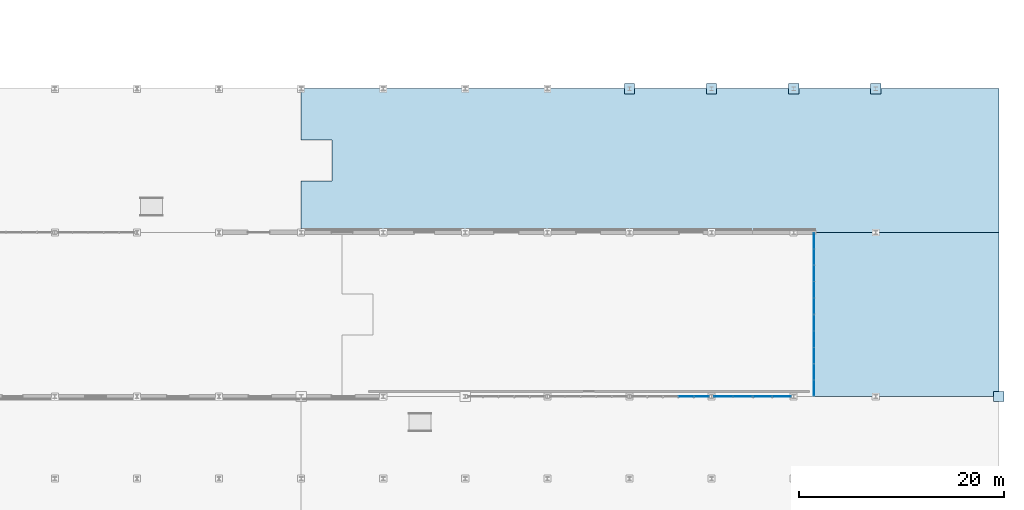
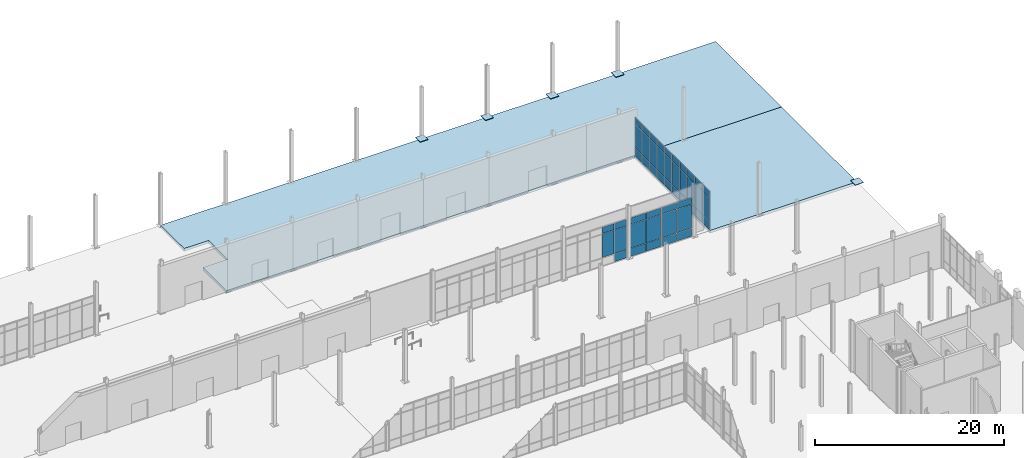
# One storey, part 109 of 140: 52 plates, 2 slabs, 5 elements without a shape of their own.
"""IFC4 building model written with IfcOpenShell, lengths in metres."""

from ifc_helpers import new_model, si_unit, direction, frame, origin, origin_2d, place, context, subcontext, project, spatial, polyline, rectangle, outline, extrude, material, layer, layer_set, type_object, element, aggregate, save


model = new_model("IFC4")

# Units and contexts
model_context = context("Model", 3, precision=1e-05, world=origin(), true_north=direction((0.0, 1.0)))
body_context = subcontext(model_context, "Body", "Model", "MODEL_VIEW")
ifc_project = project(units=[si_unit("LENGTHUNIT", "METRE"), si_unit("AREAUNIT", "SQUARE_METRE"), si_unit("VOLUMEUNIT", "CUBIC_METRE"), si_unit("PLANEANGLEUNIT", "RADIAN"), si_unit("MASSUNIT", "GRAM", prefix="KILO")], contexts=[model_context])

# Site, building, storey
site_placement = place(None, origin())
site = spatial("IfcSite", under=ifc_project, at=site_placement, CompositionType="ELEMENT")
building_placement = place(site_placement, origin())
building = spatial("IfcBuilding", under=site, at=building_placement, Name="Verrall Gate Interchange", CompositionType="ELEMENT")
storey_placement = place(building_placement, origin())
storey = spatial("IfcBuildingStorey", under=building, at=storey_placement, Name="L01", CompositionType="ELEMENT", Elevation=0.0)

# Plates
ifc_material_1 = material(Name="Structural Steel CSA G40.21 350WT Cat 4", Category="steel")
ifc_layer_1 = layer(ifc_material_1, 0.06005859375)
ifc_layer_set_1 = layer_set([ifc_layer_1], Name="Structural Steel CSA G40.21 350WT Cat 4")
plate_type_1 = type_object("IfcPlateType", Name="BP-03 Base Plate 60", PredefinedType="USERDEFINED", material=ifc_layer_set_1)
for number, where, z_axis, x_axis, name in (
    (1, (132.0, 104.0, 0.0), (0.0, 0.0, 1.0), (1.0, 0.0, 0.0), "Apron Pier Cap Plate 1642"),
    (2, (140.0, 104.0, 0.0), (0.0, 0.0, 1.0), (1.0, 0.0, 0.0), "Apron Pier Cap Plate 1644"),
    (3, (148.0, 104.0, 0.0), (0.0, 0.0, 1.0), (1.0, 0.0, 0.0), "Apron Pier Cap Plate 1646"),
    (4, (156.0, 104.0, 0.0), (0.0, 0.0, 1.0), (1.0, 0.0, 0.0), "Apron Pier Cap Plate 1648"),
    (5, (168.0, 74.0, 0.0), (0.0, 0.0, 1.0), (1.0, 0.0, 0.0), "Apron Pier Cap Plate 1664"),
):
    element("IfcPlate", number, at=place(storey_placement, frame(where, z_axis=z_axis, x_axis=x_axis)), inside=storey, type_object=plate_type_1, Name=name, ObjectType="BASE_PLATE", PredefinedType="USERDEFINED", context=body_context, shape_type="SweptSolid", body=[
        extrude(rectangle(XDim=1.0, YDim=1.0, at=origin_2d()), origin(), (0.0, 0.0, 1.0), 0.06005859375),
    ])

# Curtain wall, plates
ifc_material_2 = material(Name="Thermally Broken Anodized Aluminium Curtain Wall Framing", Category="aluminium")
curtain_wall_type_1 = type_object("IfcCurtainWallType", Name="CW-08 Unitized Curtain Wall 3764x5100", PredefinedType="NOTDEFINED", material=ifc_material_2)
curtain_wall_1_placement = place(storey_placement, origin())
curtain_wall_1 = element("IfcCurtainWall", 6, at=curtain_wall_1_placement, inside=storey, type_object=curtain_wall_type_1, Name="L01 Unitized Curtain Wall CW-L01-028", PredefinedType="NOTDEFINED")
ifc_material_3 = material(Name="Triple-Glazed Low-E Argon Insulated Curtain Panel (U=1.45)", Category="glass")
ifc_layer_2 = layer(ifc_material_3, 0.030029296875)
ifc_layer_set_2 = layer_set([ifc_layer_2], Name="Triple-Glazed Low-E Argon Insulated Curtain Panel (U=1.45)")
plate_type_2 = type_object("IfcPlateType", Name="CP-01 Curtain Glazing Panel 30", PredefinedType="CURTAIN_PANEL", material=ifc_layer_set_2)
plate_1_placement = place(storey_placement, frame((141.173583984375, 74.0, 0.0546875), z_axis=(0.0, 0.0, 1.0), x_axis=(1.0, 0.0, 0.0)))
plate_1 = element("IfcPlate", 7, at=plate_1_placement, type_object=plate_type_2, Name="CW-L01-028 Glazing Panel 1.1", PredefinedType="CURTAIN_PANEL", context=body_context, shape_type="SweptSolid", body=[
    extrude(rectangle(XDim=1.80517578125, YDim=0.030029296875, at=origin_2d()), origin(), (0.0, 0.0, 1.0), 1.023193359375),
])
plate_2_placement = place(storey_placement, frame((141.173583984375, 74.0, 1.1220703125), z_axis=(0.0, 0.0, 1.0), x_axis=(1.0, 0.0, 0.0)))
plate_2 = element("IfcPlate", 8, at=plate_2_placement, type_object=plate_type_2, Name="CW-L01-028 Glazing Panel 1.2", PredefinedType="CURTAIN_PANEL", context=body_context, shape_type="SweptSolid", body=[
    extrude(rectangle(XDim=1.80517578125, YDim=0.030029296875, at=origin_2d()), origin(), (0.0, 0.0, 1.0), 3.055908203125),
])
plate_3_placement = place(storey_placement, frame((141.173583984375, 74.0, 4.22216796875), z_axis=(0.0, 0.0, 1.0), x_axis=(1.0, 0.0, 0.0)))
plate_3 = element("IfcPlate", 9, at=plate_3_placement, type_object=plate_type_2, Name="CW-L01-028 Glazing Panel 1.3", PredefinedType="CURTAIN_PANEL", context=body_context, shape_type="SweptSolid", body=[
    extrude(rectangle(XDim=1.80517578125, YDim=0.030029296875, at=origin_2d()), origin(), (0.0, 0.0, 1.0), 0.8232421875),
])
plate_4_placement = place(storey_placement, frame((143.02294921875, 74.0, 0.0546875), z_axis=(0.0, 0.0, 1.0), x_axis=(1.0, 0.0, 0.0)))
plate_4 = element("IfcPlate", 10, at=plate_4_placement, type_object=plate_type_2, Name="CW-L01-028 Glazing Panel 2.1", PredefinedType="CURTAIN_PANEL", context=body_context, shape_type="SweptSolid", body=[
    extrude(rectangle(XDim=1.804931640625, YDim=0.030029296875, at=origin_2d()), origin(), (0.0, 0.0, 1.0), 1.023193359375),
])
plate_5_placement = place(storey_placement, frame((143.02294921875, 74.0, 1.1220703125), z_axis=(0.0, 0.0, 1.0), x_axis=(1.0, 0.0, 0.0)))
plate_5 = element("IfcPlate", 11, at=plate_5_placement, type_object=plate_type_2, Name="CW-L01-028 Glazing Panel 2.2", PredefinedType="CURTAIN_PANEL", context=body_context, shape_type="SweptSolid", body=[
    extrude(rectangle(XDim=1.804931640625, YDim=0.030029296875, at=origin_2d()), origin(), (0.0, 0.0, 1.0), 3.055908203125),
])
plate_6_placement = place(storey_placement, frame((143.02294921875, 74.0, 4.22216796875), z_axis=(0.0, 0.0, 1.0), x_axis=(1.0, 0.0, 0.0)))
plate_6 = element("IfcPlate", 12, at=plate_6_placement, type_object=plate_type_2, Name="CW-L01-028 Glazing Panel 2.3", PredefinedType="CURTAIN_PANEL", context=body_context, shape_type="SweptSolid", body=[
    extrude(rectangle(XDim=1.804931640625, YDim=0.030029296875, at=origin_2d()), origin(), (0.0, 0.0, 1.0), 0.8232421875),
])
aggregate(curtain_wall_1, [plate_1, plate_2, plate_3, plate_4, plate_5, plate_6])

curtain_wall_2_placement = place(storey_placement, origin())
curtain_wall_2 = element("IfcCurtainWall", 13, at=curtain_wall_2_placement, inside=storey, type_object=curtain_wall_type_1, Name="L01 Unitized Curtain Wall CW-L01-029", PredefinedType="NOTDEFINED")
plate_7_placement = place(storey_placement, frame((144.979736328125, 74.0, 0.06298828125), z_axis=(0.0, 0.0, 1.0), x_axis=(1.0, 0.0, 0.0)))
plate_7 = element("IfcPlate", 14, at=plate_7_placement, type_object=plate_type_2, Name="CW-L01-029 Glazing Panel 1.1", PredefinedType="CURTAIN_PANEL", context=body_context, shape_type="SweptSolid", body=[
    extrude(rectangle(XDim=1.793212890625, YDim=0.030029296875, at=origin_2d()), origin(), (0.0, 0.0, 1.0), 1.011474609375),
])
plate_8_placement = place(storey_placement, frame((144.979736328125, 74.0, 1.12548828125), z_axis=(0.0, 0.0, 1.0), x_axis=(1.0, 0.0, 0.0)))
plate_8 = element("IfcPlate", 15, at=plate_8_placement, type_object=plate_type_2, Name="CW-L01-029 Glazing Panel 1.2", PredefinedType="CURTAIN_PANEL", context=body_context, shape_type="SweptSolid", body=[
    extrude(rectangle(XDim=1.793212890625, YDim=0.030029296875, at=origin_2d()), origin(), (0.0, 0.0, 1.0), 3.049072265625),
])
plate_9_placement = place(storey_placement, frame((144.979736328125, 74.0, 4.225341796875), z_axis=(0.0, 0.0, 1.0), x_axis=(1.0, 0.0, 0.0)))
plate_9 = element("IfcPlate", 16, at=plate_9_placement, type_object=plate_type_2, Name="CW-L01-029 Glazing Panel 1.3", PredefinedType="CURTAIN_PANEL", context=body_context, shape_type="SweptSolid", body=[
    extrude(rectangle(XDim=1.793212890625, YDim=0.030029296875, at=origin_2d()), origin(), (0.0, 0.0, 1.0), 0.8115234375),
])
plate_10_placement = place(storey_placement, frame((146.823974609375, 74.0, 0.06298828125), z_axis=(0.0, 0.0, 1.0), x_axis=(1.0, 0.0, 0.0)))
plate_10 = element("IfcPlate", 17, at=plate_10_placement, type_object=plate_type_2, Name="CW-L01-029 Glazing Panel 2.1", PredefinedType="CURTAIN_PANEL", context=body_context, shape_type="SweptSolid", body=[
    extrude(rectangle(XDim=1.793212890625, YDim=0.030029296875, at=origin_2d()), origin(), (0.0, 0.0, 1.0), 1.011474609375),
])
plate_11_placement = place(storey_placement, frame((146.823974609375, 74.0, 1.12548828125), z_axis=(0.0, 0.0, 1.0), x_axis=(1.0, 0.0, 0.0)))
plate_11 = element("IfcPlate", 18, at=plate_11_placement, type_object=plate_type_2, Name="CW-L01-029 Glazing Panel 2.2", PredefinedType="CURTAIN_PANEL", context=body_context, shape_type="SweptSolid", body=[
    extrude(rectangle(XDim=1.793212890625, YDim=0.030029296875, at=origin_2d()), origin(), (0.0, 0.0, 1.0), 3.049072265625),
])
plate_12_placement = place(storey_placement, frame((146.823974609375, 74.0, 4.225341796875), z_axis=(0.0, 0.0, 1.0), x_axis=(1.0, 0.0, 0.0)))
plate_12 = element("IfcPlate", 19, at=plate_12_placement, type_object=plate_type_2, Name="CW-L01-029 Glazing Panel 2.3", PredefinedType="CURTAIN_PANEL", context=body_context, shape_type="SweptSolid", body=[
    extrude(rectangle(XDim=1.793212890625, YDim=0.030029296875, at=origin_2d()), origin(), (0.0, 0.0, 1.0), 0.8115234375),
])
aggregate(curtain_wall_2, [plate_7, plate_8, plate_9, plate_10, plate_11, plate_12])

ifc_material_4 = material(Name="Thermally Broken Anodized Aluminium Curtain Wall Framing", Category="aluminium")
curtain_wall_type_2 = type_object("IfcCurtainWallType", Name="CW-06 Unitized Curtain Wall 7631x5100", PredefinedType="NOTDEFINED", material=ifc_material_4)
curtain_wall_3_placement = place(storey_placement, origin())
curtain_wall_3 = element("IfcCurtainWall", 20, at=curtain_wall_3_placement, inside=storey, type_object=curtain_wall_type_2, Name="L01 Unitized Curtain Wall CW-L01-027", PredefinedType="NOTDEFINED")
ifc_material_5 = material(Name="Triple-Glazed Low-E Argon Insulated Curtain Panel (U=1.45)", Category="glass")
ifc_layer_3 = layer(ifc_material_5, 0.0400390625)
ifc_layer_set_3 = layer_set([ifc_layer_3], Name="Triple-Glazed Low-E Argon Insulated Curtain Panel (U=1.45)")
plate_type_3 = type_object("IfcPlateType", Name="CP-02 Curtain Glazing Panel 40", PredefinedType="CURTAIN_PANEL", material=ifc_layer_set_3)
plate_13_placement = place(storey_placement, frame((137.513427734375, 74.0, 1.12548828125), z_axis=(0.0, 0.0, 1.0), x_axis=(1.0, 0.0, 0.0)))
plate_13 = element("IfcPlate", 21, at=plate_13_placement, type_object=plate_type_3, Name="CW-L01-027 Glazing Panel 4.2", PredefinedType="CURTAIN_PANEL", context=body_context, shape_type="SweptSolid", body=[
    extrude(rectangle(XDim=1.46240234375, YDim=0.0400390625, at=origin_2d()), origin(), (0.0, 0.0, 1.0), 3.049072265625),
])
plate_14_placement = place(storey_placement, frame((137.513427734375, 74.0, 4.225341796875), z_axis=(0.0, 0.0, 1.0), x_axis=(1.0, 0.0, 0.0)))
plate_14 = element("IfcPlate", 22, at=plate_14_placement, type_object=plate_type_3, Name="CW-L01-027 Glazing Panel 4.3", PredefinedType="CURTAIN_PANEL", context=body_context, shape_type="SweptSolid", body=[
    extrude(rectangle(XDim=1.46240234375, YDim=0.0400390625, at=origin_2d()), origin(), (0.0, 0.0, 1.0), 0.8115234375),
])
plate_15_placement = place(storey_placement, frame((139.008056640625, 74.0, 0.06298828125), z_axis=(0.0, 0.0, 1.0), x_axis=(1.0, 0.0, 0.0)))
plate_15 = element("IfcPlate", 23, at=plate_15_placement, type_object=plate_type_3, Name="CW-L01-027 Glazing Panel 5.1", PredefinedType="CURTAIN_PANEL", context=body_context, shape_type="SweptSolid", body=[
    extrude(rectangle(XDim=1.4248046875, YDim=0.0400390625, at=origin_2d()), origin(), (0.0, 0.0, 1.0), 1.011474609375),
])
plate_16_placement = place(storey_placement, frame((139.008056640625, 74.0, 1.12548828125), z_axis=(0.0, 0.0, 1.0), x_axis=(1.0, 0.0, 0.0)))
plate_16 = element("IfcPlate", 24, at=plate_16_placement, type_object=plate_type_3, Name="CW-L01-027 Glazing Panel 5.2", PredefinedType="CURTAIN_PANEL", context=body_context, shape_type="SweptSolid", body=[
    extrude(rectangle(XDim=1.4248046875, YDim=0.0400390625, at=origin_2d()), origin(), (0.0, 0.0, 1.0), 3.049072265625),
])
plate_17_placement = place(storey_placement, frame((139.008056640625, 74.0, 4.225341796875), z_axis=(0.0, 0.0, 1.0), x_axis=(1.0, 0.0, 0.0)))
plate_17 = element("IfcPlate", 25, at=plate_17_placement, type_object=plate_type_3, Name="CW-L01-027 Glazing Panel 5.3", PredefinedType="CURTAIN_PANEL", context=body_context, shape_type="SweptSolid", body=[
    extrude(rectangle(XDim=1.4248046875, YDim=0.0400390625, at=origin_2d()), origin(), (0.0, 0.0, 1.0), 0.8115234375),
])
aggregate(curtain_wall_3, [plate_13, plate_14, plate_15, plate_16, plate_17])

ifc_material_6 = material(Name="Thermally Broken Anodized Aluminium Curtain Wall Framing", Category="aluminium")
curtain_wall_type_3 = type_object("IfcCurtainWallType", Name="CW-09 Unitized Curtain Wall 7960x5100", PredefinedType="NOTDEFINED", material=ifc_material_6)
curtain_wall_4_placement = place(storey_placement, origin())
curtain_wall_4 = element("IfcCurtainWall", 26, at=curtain_wall_4_placement, inside=storey, type_object=curtain_wall_type_3, Name="L01 Unitized Curtain Wall CW-L01-030", PredefinedType="NOTDEFINED")
plate_18_placement = place(storey_placement, frame((150.0, 74.832275390625, 0.0546875), z_axis=(0.0, 0.0, 1.0), x_axis=(0.0, 1.0, 0.0)))
plate_18 = element("IfcPlate", 27, at=plate_18_placement, type_object=plate_type_3, Name="CW-L01-030 Glazing Panel 1.1", PredefinedType="CURTAIN_PANEL", context=body_context, shape_type="SweptSolid", body=[
    extrude(rectangle(XDim=1.515380859375, YDim=0.0400390625, at=origin_2d()), origin(), (0.0, 0.0, 1.0), 1.023193359375),
])
plate_19_placement = place(storey_placement, frame((150.0, 74.832275390625, 1.1220703125), z_axis=(0.0, 0.0, 1.0), x_axis=(0.0, 1.0, 0.0)))
plate_19 = element("IfcPlate", 28, at=plate_19_placement, type_object=plate_type_3, Name="CW-L01-030 Glazing Panel 1.2", PredefinedType="CURTAIN_PANEL", context=body_context, shape_type="SweptSolid", body=[
    extrude(rectangle(XDim=1.515380859375, YDim=0.0400390625, at=origin_2d()), origin(), (0.0, 0.0, 1.0), 3.055908203125),
])
plate_20_placement = place(storey_placement, frame((150.0, 74.832275390625, 4.22216796875), z_axis=(0.0, 0.0, 1.0), x_axis=(0.0, 1.0, 0.0)))
plate_20 = element("IfcPlate", 29, at=plate_20_placement, type_object=plate_type_3, Name="CW-L01-030 Glazing Panel 1.3", PredefinedType="CURTAIN_PANEL", context=body_context, shape_type="SweptSolid", body=[
    extrude(rectangle(XDim=1.515380859375, YDim=0.0400390625, at=origin_2d()), origin(), (0.0, 0.0, 1.0), 0.8232421875),
])
plate_21_placement = place(storey_placement, frame((150.0, 76.407958984375, 0.0546875), z_axis=(0.0, 0.0, 1.0), x_axis=(0.0, 1.0, 0.0)))
plate_21 = element("IfcPlate", 30, at=plate_21_placement, type_object=plate_type_3, Name="CW-L01-030 Glazing Panel 2.1", PredefinedType="CURTAIN_PANEL", context=body_context, shape_type="SweptSolid", body=[
    extrude(rectangle(XDim=1.5478515625, YDim=0.0400390625, at=origin_2d()), origin(), (0.0, 0.0, 1.0), 1.023193359375),
])
plate_22_placement = place(storey_placement, frame((150.0, 76.407958984375, 1.1220703125), z_axis=(0.0, 0.0, 1.0), x_axis=(0.0, 1.0, 0.0)))
plate_22 = element("IfcPlate", 31, at=plate_22_placement, type_object=plate_type_3, Name="CW-L01-030 Glazing Panel 2.2", PredefinedType="CURTAIN_PANEL", context=body_context, shape_type="SweptSolid", body=[
    extrude(rectangle(XDim=1.5478515625, YDim=0.0400390625, at=origin_2d()), origin(), (0.0, 0.0, 1.0), 3.055908203125),
])
plate_23_placement = place(storey_placement, frame((150.0, 76.407958984375, 4.22216796875), z_axis=(0.0, 0.0, 1.0), x_axis=(0.0, 1.0, 0.0)))
plate_23 = element("IfcPlate", 32, at=plate_23_placement, type_object=plate_type_3, Name="CW-L01-030 Glazing Panel 2.3", PredefinedType="CURTAIN_PANEL", context=body_context, shape_type="SweptSolid", body=[
    extrude(rectangle(XDim=1.5478515625, YDim=0.0400390625, at=origin_2d()), origin(), (0.0, 0.0, 1.0), 0.8232421875),
])
plate_24_placement = place(storey_placement, frame((150.0, 78.0, 0.0546875), z_axis=(0.0, 0.0, 1.0), x_axis=(0.0, 1.0, 0.0)))
plate_24 = element("IfcPlate", 33, at=plate_24_placement, type_object=plate_type_3, Name="CW-L01-030 Glazing Panel 3.1", PredefinedType="CURTAIN_PANEL", context=body_context, shape_type="SweptSolid", body=[
    extrude(rectangle(XDim=1.5478515625, YDim=0.0400390625, at=origin_2d()), origin(), (0.0, 0.0, 1.0), 1.023193359375),
])
plate_25_placement = place(storey_placement, frame((150.0, 78.0, 1.1220703125), z_axis=(0.0, 0.0, 1.0), x_axis=(0.0, 1.0, 0.0)))
plate_25 = element("IfcPlate", 34, at=plate_25_placement, type_object=plate_type_3, Name="CW-L01-030 Glazing Panel 3.2", PredefinedType="CURTAIN_PANEL", context=body_context, shape_type="SweptSolid", body=[
    extrude(rectangle(XDim=1.5478515625, YDim=0.0400390625, at=origin_2d()), origin(), (0.0, 0.0, 1.0), 3.055908203125),
])
plate_26_placement = place(storey_placement, frame((150.0, 78.0, 4.22216796875), z_axis=(0.0, 0.0, 1.0), x_axis=(0.0, 1.0, 0.0)))
plate_26 = element("IfcPlate", 35, at=plate_26_placement, type_object=plate_type_3, Name="CW-L01-030 Glazing Panel 3.3", PredefinedType="CURTAIN_PANEL", context=body_context, shape_type="SweptSolid", body=[
    extrude(rectangle(XDim=1.5478515625, YDim=0.0400390625, at=origin_2d()), origin(), (0.0, 0.0, 1.0), 0.8232421875),
])
plate_27_placement = place(storey_placement, frame((150.0, 79.592041015625, 0.0546875), z_axis=(0.0, 0.0, 1.0), x_axis=(0.0, 1.0, 0.0)))
plate_27 = element("IfcPlate", 36, at=plate_27_placement, type_object=plate_type_3, Name="CW-L01-030 Glazing Panel 4.1", PredefinedType="CURTAIN_PANEL", context=body_context, shape_type="SweptSolid", body=[
    extrude(rectangle(XDim=1.5478515625, YDim=0.0400390625, at=origin_2d()), origin(), (0.0, 0.0, 1.0), 1.023193359375),
])
plate_28_placement = place(storey_placement, frame((150.0, 79.592041015625, 1.1220703125), z_axis=(0.0, 0.0, 1.0), x_axis=(0.0, 1.0, 0.0)))
plate_28 = element("IfcPlate", 37, at=plate_28_placement, type_object=plate_type_3, Name="CW-L01-030 Glazing Panel 4.2", PredefinedType="CURTAIN_PANEL", context=body_context, shape_type="SweptSolid", body=[
    extrude(rectangle(XDim=1.5478515625, YDim=0.0400390625, at=origin_2d()), origin(), (0.0, 0.0, 1.0), 3.055908203125),
])
plate_29_placement = place(storey_placement, frame((150.0, 79.592041015625, 4.22216796875), z_axis=(0.0, 0.0, 1.0), x_axis=(0.0, 1.0, 0.0)))
plate_29 = element("IfcPlate", 38, at=plate_29_placement, type_object=plate_type_3, Name="CW-L01-030 Glazing Panel 4.3", PredefinedType="CURTAIN_PANEL", context=body_context, shape_type="SweptSolid", body=[
    extrude(rectangle(XDim=1.5478515625, YDim=0.0400390625, at=origin_2d()), origin(), (0.0, 0.0, 1.0), 0.8232421875),
])
plate_30_placement = place(storey_placement, frame((150.0, 81.167724609375, 0.0546875), z_axis=(0.0, 0.0, 1.0), x_axis=(0.0, 1.0, 0.0)))
plate_30 = element("IfcPlate", 39, at=plate_30_placement, type_object=plate_type_3, Name="CW-L01-030 Glazing Panel 5.1", PredefinedType="CURTAIN_PANEL", context=body_context, shape_type="SweptSolid", body=[
    extrude(rectangle(XDim=1.515380859375, YDim=0.0400390625, at=origin_2d()), origin(), (0.0, 0.0, 1.0), 1.023193359375),
])
plate_31_placement = place(storey_placement, frame((150.0, 81.167724609375, 1.1220703125), z_axis=(0.0, 0.0, 1.0), x_axis=(0.0, 1.0, 0.0)))
plate_31 = element("IfcPlate", 40, at=plate_31_placement, type_object=plate_type_3, Name="CW-L01-030 Glazing Panel 5.2", PredefinedType="CURTAIN_PANEL", context=body_context, shape_type="SweptSolid", body=[
    extrude(rectangle(XDim=1.515380859375, YDim=0.0400390625, at=origin_2d()), origin(), (0.0, 0.0, 1.0), 3.055908203125),
])
plate_32_placement = place(storey_placement, frame((150.0, 81.167724609375, 4.22216796875), z_axis=(0.0, 0.0, 1.0), x_axis=(0.0, 1.0, 0.0)))
plate_32 = element("IfcPlate", 41, at=plate_32_placement, type_object=plate_type_3, Name="CW-L01-030 Glazing Panel 5.3", PredefinedType="CURTAIN_PANEL", context=body_context, shape_type="SweptSolid", body=[
    extrude(rectangle(XDim=1.515380859375, YDim=0.0400390625, at=origin_2d()), origin(), (0.0, 0.0, 1.0), 0.8232421875),
])
aggregate(curtain_wall_4, [plate_18, plate_19, plate_20, plate_21, plate_22, plate_23, plate_24, plate_25, plate_26, plate_27, plate_28, plate_29, plate_30, plate_31, plate_32])

curtain_wall_5_placement = place(storey_placement, origin())
curtain_wall_5 = element("IfcCurtainWall", 42, at=curtain_wall_5_placement, inside=storey, type_object=curtain_wall_type_3, Name="L01 Unitized Curtain Wall CW-L01-031", PredefinedType="NOTDEFINED")
plate_33_placement = place(storey_placement, frame((150.0, 82.834716796875, 0.06298828125), z_axis=(0.0, 0.0, 1.0), x_axis=(0.0, 1.0, 0.0)))
plate_33 = element("IfcPlate", 43, at=plate_33_placement, type_object=plate_type_3, Name="CW-L01-031 Glazing Panel 1.1", PredefinedType="CURTAIN_PANEL", context=body_context, shape_type="SweptSolid", body=[
    extrude(rectangle(XDim=1.50341796875, YDim=0.0400390625, at=origin_2d()), origin(), (0.0, 0.0, 1.0), 1.011474609375),
])
plate_34_placement = place(storey_placement, frame((150.0, 82.834716796875, 1.12548828125), z_axis=(0.0, 0.0, 1.0), x_axis=(0.0, 1.0, 0.0)))
plate_34 = element("IfcPlate", 44, at=plate_34_placement, type_object=plate_type_3, Name="CW-L01-031 Glazing Panel 1.2", PredefinedType="CURTAIN_PANEL", context=body_context, shape_type="SweptSolid", body=[
    extrude(rectangle(XDim=1.50341796875, YDim=0.0400390625, at=origin_2d()), origin(), (0.0, 0.0, 1.0), 3.049072265625),
])
plate_35_placement = place(storey_placement, frame((150.0, 82.834716796875, 4.225341796875), z_axis=(0.0, 0.0, 1.0), x_axis=(0.0, 1.0, 0.0)))
plate_35 = element("IfcPlate", 45, at=plate_35_placement, type_object=plate_type_3, Name="CW-L01-031 Glazing Panel 1.3", PredefinedType="CURTAIN_PANEL", context=body_context, shape_type="SweptSolid", body=[
    extrude(rectangle(XDim=1.50341796875, YDim=0.0400390625, at=origin_2d()), origin(), (0.0, 0.0, 1.0), 0.8115234375),
])
plate_36_placement = place(storey_placement, frame((150.0, 84.407958984375, 0.06298828125), z_axis=(0.0, 0.0, 1.0), x_axis=(0.0, 1.0, 0.0)))
plate_36 = element("IfcPlate", 46, at=plate_36_placement, type_object=plate_type_3, Name="CW-L01-031 Glazing Panel 2.1", PredefinedType="CURTAIN_PANEL", context=body_context, shape_type="SweptSolid", body=[
    extrude(rectangle(XDim=1.541015625, YDim=0.0400390625, at=origin_2d()), origin(), (0.0, 0.0, 1.0), 1.011474609375),
])
plate_37_placement = place(storey_placement, frame((150.0, 84.407958984375, 1.12548828125), z_axis=(0.0, 0.0, 1.0), x_axis=(0.0, 1.0, 0.0)))
plate_37 = element("IfcPlate", 47, at=plate_37_placement, type_object=plate_type_3, Name="CW-L01-031 Glazing Panel 2.2", PredefinedType="CURTAIN_PANEL", context=body_context, shape_type="SweptSolid", body=[
    extrude(rectangle(XDim=1.541015625, YDim=0.0400390625, at=origin_2d()), origin(), (0.0, 0.0, 1.0), 3.049072265625),
])
plate_38_placement = place(storey_placement, frame((150.0, 84.407958984375, 4.225341796875), z_axis=(0.0, 0.0, 1.0), x_axis=(0.0, 1.0, 0.0)))
plate_38 = element("IfcPlate", 48, at=plate_38_placement, type_object=plate_type_3, Name="CW-L01-031 Glazing Panel 2.3", PredefinedType="CURTAIN_PANEL", context=body_context, shape_type="SweptSolid", body=[
    extrude(rectangle(XDim=1.541015625, YDim=0.0400390625, at=origin_2d()), origin(), (0.0, 0.0, 1.0), 0.8115234375),
])
plate_39_placement = place(storey_placement, frame((150.0, 86.0, 0.06298828125), z_axis=(0.0, 0.0, 1.0), x_axis=(0.0, 1.0, 0.0)))
plate_39 = element("IfcPlate", 49, at=plate_39_placement, type_object=plate_type_3, Name="CW-L01-031 Glazing Panel 3.1", PredefinedType="CURTAIN_PANEL", context=body_context, shape_type="SweptSolid", body=[
    extrude(rectangle(XDim=1.541015625, YDim=0.0400390625, at=origin_2d()), origin(), (0.0, 0.0, 1.0), 1.011474609375),
])
plate_40_placement = place(storey_placement, frame((150.0, 86.0, 1.12548828125), z_axis=(0.0, 0.0, 1.0), x_axis=(0.0, 1.0, 0.0)))
plate_40 = element("IfcPlate", 50, at=plate_40_placement, type_object=plate_type_3, Name="CW-L01-031 Glazing Panel 3.2", PredefinedType="CURTAIN_PANEL", context=body_context, shape_type="SweptSolid", body=[
    extrude(rectangle(XDim=1.541015625, YDim=0.0400390625, at=origin_2d()), origin(), (0.0, 0.0, 1.0), 3.049072265625),
])
plate_41_placement = place(storey_placement, frame((150.0, 86.0, 4.225341796875), z_axis=(0.0, 0.0, 1.0), x_axis=(0.0, 1.0, 0.0)))
plate_41 = element("IfcPlate", 51, at=plate_41_placement, type_object=plate_type_3, Name="CW-L01-031 Glazing Panel 3.3", PredefinedType="CURTAIN_PANEL", context=body_context, shape_type="SweptSolid", body=[
    extrude(rectangle(XDim=1.541015625, YDim=0.0400390625, at=origin_2d()), origin(), (0.0, 0.0, 1.0), 0.8115234375),
])
plate_42_placement = place(storey_placement, frame((150.0, 87.592041015625, 0.06298828125), z_axis=(0.0, 0.0, 1.0), x_axis=(0.0, 1.0, 0.0)))
plate_42 = element("IfcPlate", 52, at=plate_42_placement, type_object=plate_type_3, Name="CW-L01-031 Glazing Panel 4.1", PredefinedType="CURTAIN_PANEL", context=body_context, shape_type="SweptSolid", body=[
    extrude(rectangle(XDim=1.541015625, YDim=0.0400390625, at=origin_2d()), origin(), (0.0, 0.0, 1.0), 1.011474609375),
])
plate_43_placement = place(storey_placement, frame((150.0, 87.592041015625, 1.12548828125), z_axis=(0.0, 0.0, 1.0), x_axis=(0.0, 1.0, 0.0)))
plate_43 = element("IfcPlate", 53, at=plate_43_placement, type_object=plate_type_3, Name="CW-L01-031 Glazing Panel 4.2", PredefinedType="CURTAIN_PANEL", context=body_context, shape_type="SweptSolid", body=[
    extrude(rectangle(XDim=1.541015625, YDim=0.0400390625, at=origin_2d()), origin(), (0.0, 0.0, 1.0), 3.049072265625),
])
plate_44_placement = place(storey_placement, frame((150.0, 87.592041015625, 4.225341796875), z_axis=(0.0, 0.0, 1.0), x_axis=(0.0, 1.0, 0.0)))
plate_44 = element("IfcPlate", 54, at=plate_44_placement, type_object=plate_type_3, Name="CW-L01-031 Glazing Panel 4.3", PredefinedType="CURTAIN_PANEL", context=body_context, shape_type="SweptSolid", body=[
    extrude(rectangle(XDim=1.541015625, YDim=0.0400390625, at=origin_2d()), origin(), (0.0, 0.0, 1.0), 0.8115234375),
])
plate_45_placement = place(storey_placement, frame((150.0, 89.165283203125, 0.06298828125), z_axis=(0.0, 0.0, 1.0), x_axis=(0.0, 1.0, 0.0)))
plate_45 = element("IfcPlate", 55, at=plate_45_placement, type_object=plate_type_3, Name="CW-L01-031 Glazing Panel 5.1", PredefinedType="CURTAIN_PANEL", context=body_context, shape_type="SweptSolid", body=[
    extrude(rectangle(XDim=1.50341796875, YDim=0.0400390625, at=origin_2d()), origin(), (0.0, 0.0, 1.0), 1.011474609375),
])
plate_46_placement = place(storey_placement, frame((150.0, 89.165283203125, 1.12548828125), z_axis=(0.0, 0.0, 1.0), x_axis=(0.0, 1.0, 0.0)))
plate_46 = element("IfcPlate", 56, at=plate_46_placement, type_object=plate_type_3, Name="CW-L01-031 Glazing Panel 5.2", PredefinedType="CURTAIN_PANEL", context=body_context, shape_type="SweptSolid", body=[
    extrude(rectangle(XDim=1.50341796875, YDim=0.0400390625, at=origin_2d()), origin(), (0.0, 0.0, 1.0), 3.049072265625),
])
plate_47_placement = place(storey_placement, frame((150.0, 89.165283203125, 4.225341796875), z_axis=(0.0, 0.0, 1.0), x_axis=(0.0, 1.0, 0.0)))
plate_47 = element("IfcPlate", 57, at=plate_47_placement, type_object=plate_type_3, Name="CW-L01-031 Glazing Panel 5.3", PredefinedType="CURTAIN_PANEL", context=body_context, shape_type="SweptSolid", body=[
    extrude(rectangle(XDim=1.50341796875, YDim=0.0400390625, at=origin_2d()), origin(), (0.0, 0.0, 1.0), 0.8115234375),
])
aggregate(curtain_wall_5, [plate_33, plate_34, plate_35, plate_36, plate_37, plate_38, plate_39, plate_40, plate_41, plate_42, plate_43, plate_44, plate_45, plate_46, plate_47])

# Slabs
ifc_material_7 = material(Name="Concrete CSA A23.1 40 MPa (Class C-1)", Category="concrete")
ifc_layer_4 = layer(ifc_material_7, 0.35009765625)
ifc_layer_set_4 = layer_set([ifc_layer_4], Name="Concrete CSA A23.1 40 MPa (Class C-1)")
slab_type = type_object("IfcSlabType", Name="FS-05 Floor Slab 350", PredefinedType="FLOOR", material=ifc_layer_set_4)
slab_1_placement = place(storey_placement, frame((0.0, 0.0, -0.35009765625)))
element("IfcSlab", 58, at=slab_1_placement, inside=storey, type_object=slab_type, Name="L01 Structural Slab SLB-L01-AP4", PredefinedType="FLOOR", context=body_context, shape_type="SweptSolid", body=[
    extrude(outline(polyline([(168.0, 90.0), (150.0, 90.0), (104.0, 90.0), (100.0, 90.0), (100.0, 95.0), (103.0, 95.0), (103.0, 99.0), (100.0, 99.0), (100.0, 104.0), (168.0, 104.0), (168.0, 90.0)])), origin(), (0.0, 0.0, 1.0), 0.35009765625),
])
slab_2_placement = place(storey_placement, frame((0.0, 0.0, -0.35009765625)))
element("IfcSlab", 59, at=slab_2_placement, inside=storey, type_object=slab_type, Name="L01 Structural Slab SLB-L01-AP6", PredefinedType="FLOOR", context=body_context, shape_type="SweptSolid", body=[
    extrude(outline(polyline([(150.0, 90.0), (168.0, 90.0), (168.0, 74.0), (150.0, 74.0), (150.0, 90.0)])), origin(), (0.0, 0.0, 1.0), 0.35009765625),
])

save(model, "model.ifc")
